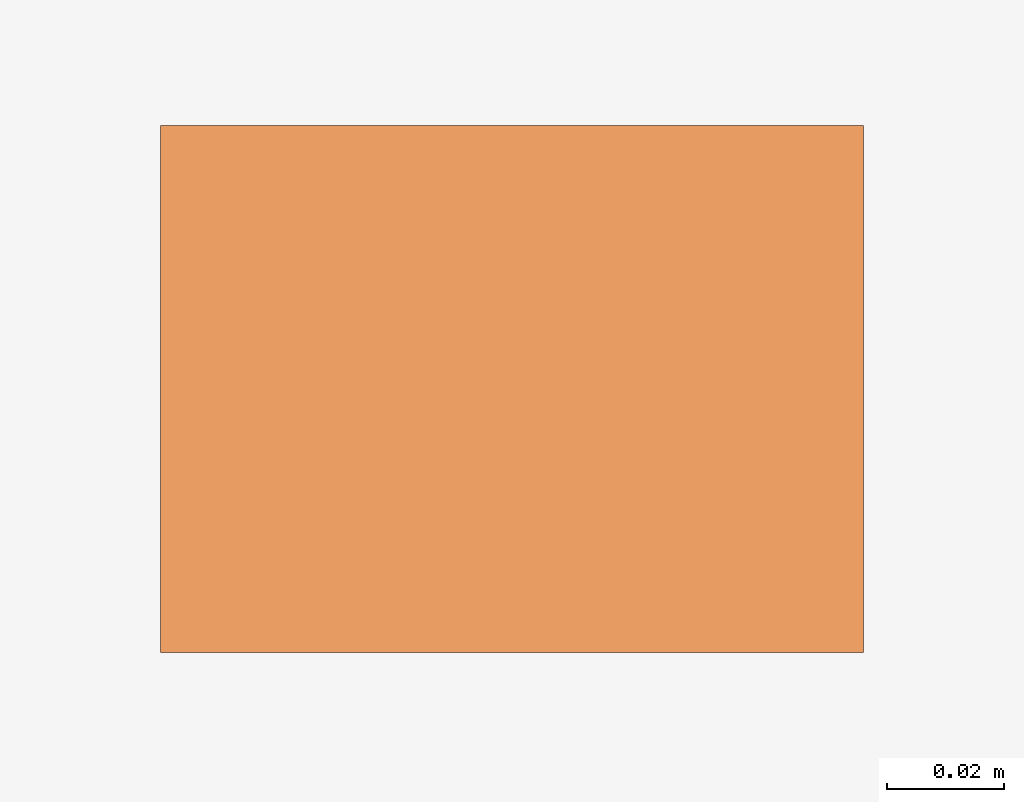
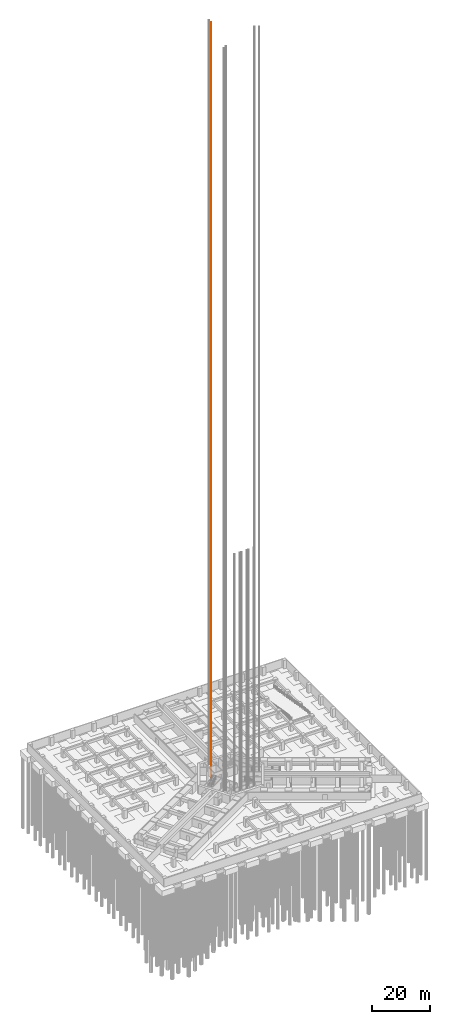
# One storey, part 72 of 73: 1 proxy.
"""IFC4 building model written with IfcOpenShell, lengths in metres."""

from ifc_helpers import new_model, si_unit, direction, frame, origin, origin_2d, place, context, subcontext, project, spatial, rectangle, extrude, material, type_object, element, save


model = new_model("IFC4")

# Units and contexts
model_context = context("Model", 3, precision=1e-05, world=origin(), true_north=direction((0.0, 1.0)))
body_context = subcontext(model_context, "Body", "Model", "MODEL_VIEW")
ifc_project = project(units=[si_unit("LENGTHUNIT", "METRE"), si_unit("AREAUNIT", "SQUARE_METRE"), si_unit("VOLUMEUNIT", "CUBIC_METRE"), si_unit("PLANEANGLEUNIT", "RADIAN"), si_unit("MASSUNIT", "GRAM", prefix="KILO")], contexts=[model_context])

# Site, building, storey
site_placement = place(None, origin())
site = spatial("IfcSite", under=ifc_project, at=site_placement, CompositionType="ELEMENT")
building_placement = place(site_placement, origin())
building = spatial("IfcBuilding", under=site, at=building_placement, Name="Impinga Residences", CompositionType="ELEMENT")
storey_placement = place(building_placement, frame((0.0, 0.0, -10.5)))
storey = spatial("IfcBuildingStorey", under=building, at=storey_placement, Name="B3", CompositionType="ELEMENT", Elevation=-10.5)

# Proxy
ifc_material = material(Name="Steel lift guide rail, galvanised", Category="steel")
building_element_proxy_type = type_object("IfcBuildingElementProxyType", Name="LGR lift guide rail", PredefinedType="USERDEFINED", material=ifc_material)
proxy_placement = place(storey_placement, frame((-2.949951171875, 8.22509765625, -1.60009765625), z_axis=(0.0, 0.0, 1.0), x_axis=(0.0, 1.0, 0.0)))
element("IfcBuildingElementProxy", 1, at=proxy_placement, inside=storey, type_object=building_element_proxy_type, Name="Guide rail F1 1", ObjectType="Lift guide rail", PredefinedType="USERDEFINED", context=body_context, shape_type="SweptSolid", body=[
    extrude(rectangle(XDim=0.090087890625, YDim=0.1201171875, at=origin_2d()), origin(), (0.0, 0.0, 1.0), 316.25),
])

save(model, "model.ifc")
